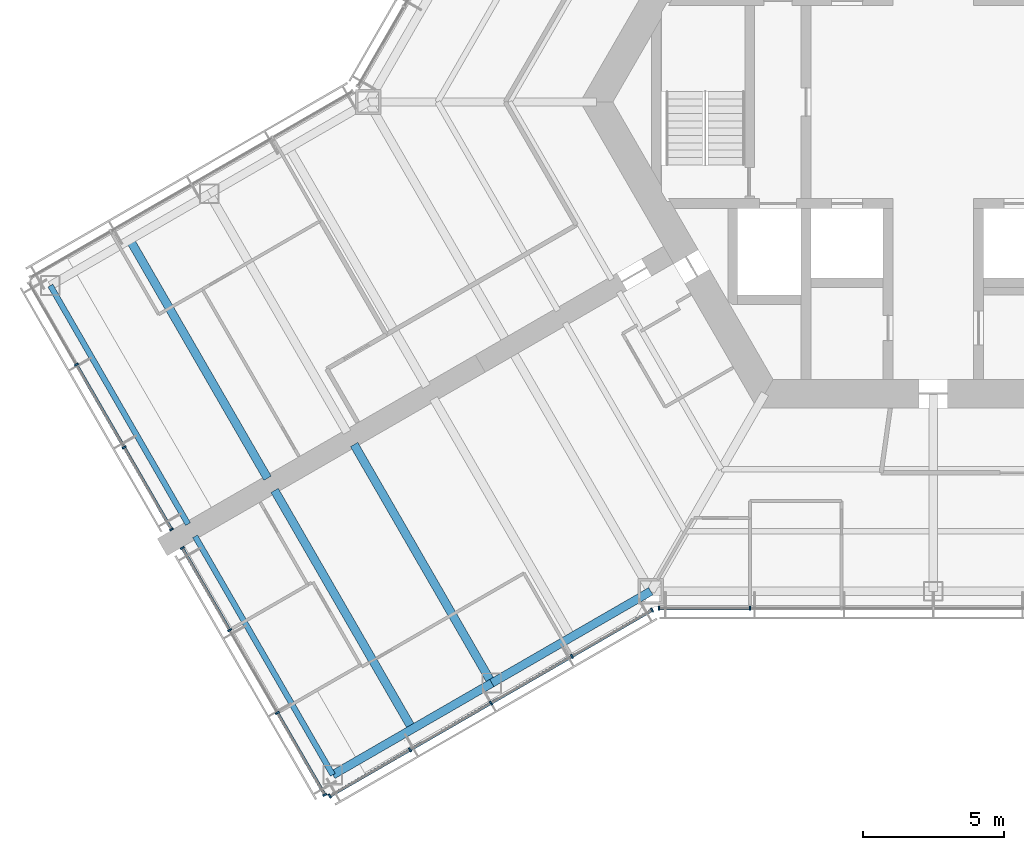
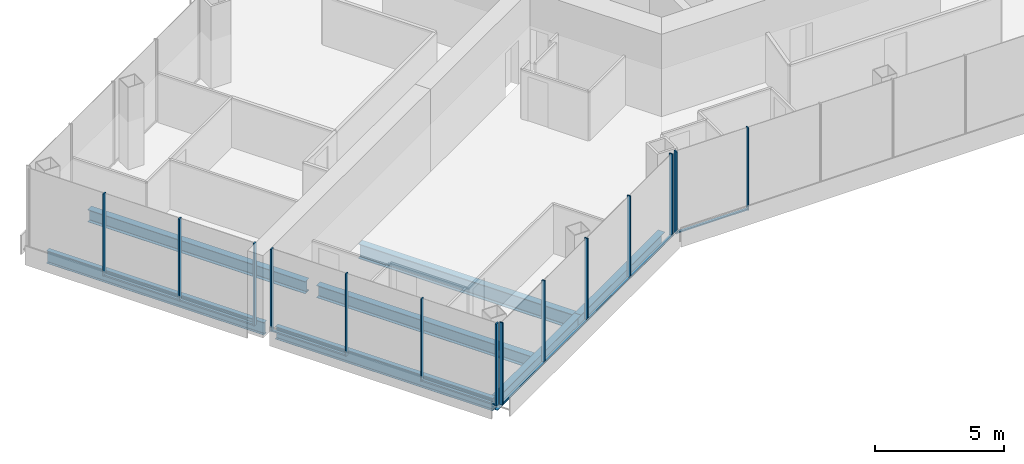
# One storey, part 2 of 18: 23 members, 7 beams, 4 elements without a shape of their own.
"""IFC4 building model written with IfcOpenShell, lengths in metres."""

from ifc_helpers import new_model, si_unit, direction, frame, origin, origin_2d, place, context, subcontext, project, spatial, rectangle, i_section, extrude, material, material_profile, profile_set, type_object, element, aggregate, save


model = new_model("IFC4")

# Units and contexts
model_context = context("Model", 3, precision=1e-05, world=origin(), true_north=direction((0.0, 1.0)))
body_context = subcontext(model_context, "Body", "Model", "MODEL_VIEW")
ifc_project = project(units=[si_unit("LENGTHUNIT", "METRE"), si_unit("AREAUNIT", "SQUARE_METRE"), si_unit("VOLUMEUNIT", "CUBIC_METRE"), si_unit("PLANEANGLEUNIT", "RADIAN"), si_unit("MASSUNIT", "GRAM", prefix="KILO")], contexts=[model_context])

# Site, building, storey
site_placement = place(None, origin())
site = spatial("IfcSite", under=ifc_project, at=site_placement, CompositionType="ELEMENT")
building_placement = place(site_placement, origin())
building = spatial("IfcBuilding", under=site, at=building_placement, Name="Kasaneha Research Tower", CompositionType="ELEMENT")
storey_placement = place(building_placement, frame((0.0, 0.0, 199.39990234375)))
storey = spatial("IfcBuildingStorey", under=building, at=storey_placement, Name="L50", CompositionType="ELEMENT", Elevation=199.39990234375)

# Beams
ifc_material_1 = material(Name="Steel SN490B", Category="steel")
ifc_material_profile_1 = material_profile(ifc_material_1, i_section(OverallWidth=0.300048828125, OverallDepth=0.58203125, WebThickness=0.011962890625, FlangeThickness=0.01708984375, FilletRadius=0.012939453125, at=origin_2d()), Name="H-582x300x12x17")
ifc_profile_set_1 = profile_set([ifc_material_profile_1], Name="Steel SN490B")
beam_type_1 = type_object("IfcBeamType", Name="B2-3 secondary beam H-582x300x12x17", PredefinedType="JOIST", material=ifc_profile_set_1)
for number, where, z_axis, x_axis, name in (
    (1, (-28.44384765625, -4.875, -0.44091796875), (0.499995560238, -0.866027967067, 0.0), (0.866027967067, 0.499995560238, 0.0), "Secondary beam WBBP2 L50"),
    (2, (-18.44384765625, -22.195556640625, -0.44091796875), (-0.499995560238, 0.866027967067, 0.0), (-0.866027967067, -0.499995560238, 0.0), "Secondary beam WBBN2 L50"),
):
    element("IfcBeam", number, at=place(storey_placement, frame(where, z_axis=z_axis, x_axis=x_axis)), inside=storey, type_object=beam_type_1, Name=name, PredefinedType="JOIST", context=body_context, shape_type="SweptSolid", body=[
        extrude(i_section(OverallWidth=0.300048828125, OverallDepth=0.58203125, WebThickness=0.011962890625, FlangeThickness=0.01708984375, FilletRadius=0.012939453125, at=origin_2d()), origin(), (0.0, 0.0, 1.0), 9.75),
    ])

# Curtain wall, members
ifc_material_2 = material(Name="Glass and aluminium", Category="aluminium")
curtain_wall_type = type_object("IfcCurtainWallType", Name="Mid-rise office curtain wall", PredefinedType="USERDEFINED", material=ifc_material_2)
curtain_wall_1_placement = place(storey_placement, origin())
curtain_wall_1 = element("IfcCurtainWall", 3, at=curtain_wall_1_placement, inside=storey, type_object=curtain_wall_type, Name="CW-O2 L50 run 01a", ObjectType="UNITISED CURTAIN WALL", PredefinedType="USERDEFINED")
ifc_material_3 = material(Name="Aluminium 6063-T6", Category="aluminium")
ifc_material_profile_2 = material_profile(ifc_material_3, rectangle(XDim=0.06005859375, YDim=0.14990234375, at=origin_2d()), Name="CW-O2 mullion 60x150")
ifc_profile_set_2 = profile_set([ifc_material_profile_2], Name="Aluminium 6063-T6")
member_type_1 = type_object("IfcMemberType", Name="CW-O2 mullion", PredefinedType="MULLION", material=ifc_profile_set_2)
member_1_placement = place(storey_placement, frame((-9.709228515625, -17.92041015625, 0.0), z_axis=(0.0, 0.0, 1.0), x_axis=(1.0, 0.0, 0.0)))
member_1 = element("IfcMember", 4, at=member_1_placement, type_object=member_type_1, Name="CW-O2 mullion 1", PredefinedType="MULLION", context=body_context, shape_type="SweptSolid", body=[
    extrude(rectangle(XDim=0.06005859375, YDim=0.14990234375, at=origin_2d()), origin(), (0.0, 0.0, 1.0), 3.900146484375),
])
member_2_placement = place(storey_placement, frame((-6.492919921875, -17.92041015625, 0.0), z_axis=(0.0, 0.0, 1.0), x_axis=(1.0, 0.0, 0.0)))
member_2 = element("IfcMember", 5, at=member_2_placement, type_object=member_type_1, Name="CW-O2 mullion 2", PredefinedType="MULLION", context=body_context, shape_type="SweptSolid", body=[
    extrude(rectangle(XDim=0.06005859375, YDim=0.14990234375, at=origin_2d()), origin(), (0.0, 0.0, 1.0), 3.900146484375),
])

curtain_wall_2_placement = place(storey_placement, origin())
curtain_wall_2 = element("IfcCurtainWall", 6, at=curtain_wall_2_placement, inside=storey, type_object=curtain_wall_type, Name="CW-O2 L50 run 10a", ObjectType="UNITISED CURTAIN WALL", PredefinedType="USERDEFINED")
member_3_placement = place(storey_placement, frame((-30.336181640625, -9.297119140625, 0.0), z_axis=(0.0, 0.0, 1.0), x_axis=(0.500000011442, -0.866025397178, 0.0)))
member_3 = element("IfcMember", 7, at=member_3_placement, type_object=member_type_1, Name="CW-O2 mullion 2", PredefinedType="MULLION", context=body_context, shape_type="SweptSolid", body=[
    extrude(rectangle(XDim=0.06005859375, YDim=0.14990234375, at=origin_2d()), origin(), (0.0, 0.0, 1.0), 3.900146484375),
])
member_4_placement = place(storey_placement, frame((-28.64453125, -12.22705078125, 0.0), z_axis=(0.0, 0.0, 1.0), x_axis=(0.500000011442, -0.866025397178, 0.0)))
member_4 = element("IfcMember", 8, at=member_4_placement, type_object=member_type_1, Name="CW-O2 mullion 3", PredefinedType="MULLION", context=body_context, shape_type="SweptSolid", body=[
    extrude(rectangle(XDim=0.06005859375, YDim=0.14990234375, at=origin_2d()), origin(), (0.0, 0.0, 1.0), 3.900146484375),
])
member_5_placement = place(storey_placement, frame((-26.968017578125, -15.131103515625, 0.0), z_axis=(0.0, 0.0, 1.0), x_axis=(0.500000011442, -0.866025397178, 0.0)))
member_5 = element("IfcMember", 9, at=member_5_placement, type_object=member_type_1, Name="CW-O2 mullion 4", PredefinedType="MULLION", context=body_context, shape_type="SweptSolid", body=[
    extrude(rectangle(XDim=0.06005859375, YDim=0.14990234375, at=origin_2d()), origin(), (0.0, 0.0, 1.0), 3.900146484375),
])

curtain_wall_3_placement = place(storey_placement, origin())
curtain_wall_3 = element("IfcCurtainWall", 10, at=curtain_wall_3_placement, inside=storey, type_object=curtain_wall_type, Name="CW-O2 L50 run 11a", ObjectType="UNITISED CURTAIN WALL", PredefinedType="USERDEFINED")
member_6_placement = place(storey_placement, frame((-26.587890625, -15.789306640625, 0.0), z_axis=(0.0, 0.0, 1.0), x_axis=(0.500000011442, -0.866025397178, 0.0)))
member_6 = element("IfcMember", 11, at=member_6_placement, type_object=member_type_1, Name="CW-O2 mullion 1", PredefinedType="MULLION", context=body_context, shape_type="SweptSolid", body=[
    extrude(rectangle(XDim=0.06005859375, YDim=0.14990234375, at=origin_2d()), origin(), (0.0, 0.0, 1.0), 3.900146484375),
])
member_7_placement = place(storey_placement, frame((-24.911376953125, -18.693359375, 0.0), z_axis=(0.0, 0.0, 1.0), x_axis=(0.500000011442, -0.866025397178, 0.0)))
member_7 = element("IfcMember", 12, at=member_7_placement, type_object=member_type_1, Name="CW-O2 mullion 2", PredefinedType="MULLION", context=body_context, shape_type="SweptSolid", body=[
    extrude(rectangle(XDim=0.06005859375, YDim=0.14990234375, at=origin_2d()), origin(), (0.0, 0.0, 1.0), 3.900146484375),
])
member_8_placement = place(storey_placement, frame((-23.2197265625, -21.62353515625, 0.0), z_axis=(0.0, 0.0, 1.0), x_axis=(0.500000011442, -0.866025397178, 0.0)))
member_8 = element("IfcMember", 13, at=member_8_placement, type_object=member_type_1, Name="CW-O2 mullion 3", PredefinedType="MULLION", context=body_context, shape_type="SweptSolid", body=[
    extrude(rectangle(XDim=0.06005859375, YDim=0.14990234375, at=origin_2d()), origin(), (0.0, 0.0, 1.0), 3.900146484375),
])
member_9_placement = place(storey_placement, frame((-21.54296875, -24.527587890625, 0.0), z_axis=(0.0, 0.0, 1.0), x_axis=(0.500000011442, -0.866025397178, 0.0)))
member_9 = element("IfcMember", 14, at=member_9_placement, type_object=member_type_1, Name="CW-O2 mullion 4", PredefinedType="MULLION", context=body_context, shape_type="SweptSolid", body=[
    extrude(rectangle(XDim=0.06005859375, YDim=0.14990234375, at=origin_2d()), origin(), (0.0, 0.0, 1.0), 3.900146484375),
])

curtain_wall_4_placement = place(storey_placement, origin())
curtain_wall_4 = element("IfcCurtainWall", 15, at=curtain_wall_4_placement, inside=storey, type_object=curtain_wall_type, Name="CW-O2 L50 run 12a", ObjectType="UNITISED CURTAIN WALL", PredefinedType="USERDEFINED")
member_10_placement = place(storey_placement, frame((-21.365478515625, -24.5751953125, 0.0), z_axis=(0.0, 0.0, 1.0), x_axis=(0.866025411464, 0.499999986699, 0.0)))
member_10 = element("IfcMember", 16, at=member_10_placement, type_object=member_type_1, Name="CW-O2 mullion 1", PredefinedType="MULLION", context=body_context, shape_type="SweptSolid", body=[
    extrude(rectangle(XDim=0.06005859375, YDim=0.14990234375, at=origin_2d()), origin(), (0.0, 0.0, 1.0), 3.900146484375),
])
member_11_placement = place(storey_placement, frame((-18.52490234375, -22.935302734375, 0.0), z_axis=(0.0, 0.0, 1.0), x_axis=(0.866025411464, 0.499999986699, 0.0)))
member_11 = element("IfcMember", 17, at=member_11_placement, type_object=member_type_1, Name="CW-O2 mullion 2", PredefinedType="MULLION", context=body_context, shape_type="SweptSolid", body=[
    extrude(rectangle(XDim=0.06005859375, YDim=0.14990234375, at=origin_2d()), origin(), (0.0, 0.0, 1.0), 3.900146484375),
])
member_12_placement = place(storey_placement, frame((-15.65869140625, -21.2802734375, 0.0), z_axis=(0.0, 0.0, 1.0), x_axis=(0.866025411464, 0.499999986699, 0.0)))
member_12 = element("IfcMember", 18, at=member_12_placement, type_object=member_type_1, Name="CW-O2 mullion 3", PredefinedType="MULLION", context=body_context, shape_type="SweptSolid", body=[
    extrude(rectangle(XDim=0.06005859375, YDim=0.14990234375, at=origin_2d()), origin(), (0.0, 0.0, 1.0), 3.900146484375),
])
member_13_placement = place(storey_placement, frame((-12.792236328125, -19.62548828125, 0.0), z_axis=(0.0, 0.0, 1.0), x_axis=(0.866025411464, 0.499999986699, 0.0)))
member_13 = element("IfcMember", 19, at=member_13_placement, type_object=member_type_1, Name="CW-O2 mullion 4", PredefinedType="MULLION", context=body_context, shape_type="SweptSolid", body=[
    extrude(rectangle(XDim=0.06005859375, YDim=0.14990234375, at=origin_2d()), origin(), (0.0, 0.0, 1.0), 3.900146484375),
])
member_14_placement = place(storey_placement, frame((-9.951904296875, -17.985595703125, 0.0), z_axis=(0.0, 0.0, 1.0), x_axis=(0.866025411464, 0.499999986699, 0.0)))
member_14 = element("IfcMember", 20, at=member_14_placement, type_object=member_type_1, Name="CW-O2 mullion 5", PredefinedType="MULLION", context=body_context, shape_type="SweptSolid", body=[
    extrude(rectangle(XDim=0.06005859375, YDim=0.14990234375, at=origin_2d()), origin(), (0.0, 0.0, 1.0), 3.900146484375),
])

# Member
ifc_material_4 = material(Name="Aluminium 6063-T6", Category="aluminium")
ifc_material_profile_3 = material_profile(ifc_material_4, rectangle(XDim=0.110107421875, YDim=0.06005859375, at=origin_2d()), Name="CW-O2 transom 110x60")
ifc_profile_set_3 = profile_set([ifc_material_profile_3], Name="Aluminium 6063-T6")
member_type_2 = type_object("IfcMemberType", Name="CW-O2 transom", PredefinedType="USERDEFINED", material=ifc_profile_set_3)
member_15_placement = place(storey_placement, frame((-9.67919921875, -17.92041015625, 0.030029296875), z_axis=(1.0, 0.0, 0.0), x_axis=(0.0, 1.0, 0.0)))
member_15 = element("IfcMember", 21, at=member_15_placement, type_object=member_type_2, Name="CW-O2 transom 1", ObjectType="TRANSOM", PredefinedType="USERDEFINED", context=body_context, shape_type="SweptSolid", body=[
    extrude(rectangle(XDim=0.110107421875, YDim=0.06005859375, at=origin_2d()), origin(), (0.0, 0.0, 1.0), 3.156494140625),
])

aggregate(curtain_wall_1, [member_1, member_2, member_15])

member_16_placement = place(storey_placement, frame((-30.3212890625, -9.322998046875, 0.030029296875), z_axis=(0.499978935311, -0.866037565146, 0.0), x_axis=(0.866037565146, 0.499978935311, 0.0)))
member_16 = element("IfcMember", 22, at=member_16_placement, type_object=member_type_2, Name="CW-O2 transom 2", ObjectType="TRANSOM", PredefinedType="USERDEFINED", context=body_context, shape_type="SweptSolid", body=[
    extrude(rectangle(XDim=0.110107421875, YDim=0.06005859375, at=origin_2d()), origin(), (0.0, 0.0, 1.0), 3.323486328125),
])

member_17_placement = place(storey_placement, frame((-28.629638671875, -12.253173828125, 0.030029296875), z_axis=(0.500021914551, -0.866012751043, 0.0), x_axis=(0.866012751043, 0.500021914551, 0.0)))
member_17 = element("IfcMember", 23, at=member_17_placement, type_object=member_type_2, Name="CW-O2 transom 3", ObjectType="TRANSOM", PredefinedType="USERDEFINED", context=body_context, shape_type="SweptSolid", body=[
    extrude(rectangle(XDim=0.110107421875, YDim=0.06005859375, at=origin_2d()), origin(), (0.0, 0.0, 1.0), 3.293212890625),
])

aggregate(curtain_wall_2, [member_3, member_4, member_5, member_16, member_17])

member_18_placement = place(storey_placement, frame((-26.572998046875, -15.8154296875, 0.030029296875), z_axis=(0.500021914551, -0.866012751043, 0.0), x_axis=(0.866012751043, 0.500021914551, 0.0)))
member_18 = element("IfcMember", 24, at=member_18_placement, type_object=member_type_2, Name="CW-O2 transom 1", ObjectType="TRANSOM", PredefinedType="USERDEFINED", context=body_context, shape_type="SweptSolid", body=[
    extrude(rectangle(XDim=0.110107421875, YDim=0.06005859375, at=origin_2d()), origin(), (0.0, 0.0, 1.0), 3.293212890625),
])

member_19_placement = place(storey_placement, frame((-23.20458984375, -21.6494140625, 0.030029296875), z_axis=(0.500021914551, -0.866012751043, 0.0), x_axis=(0.866012751043, 0.500021914551, 0.0)))
member_19 = element("IfcMember", 25, at=member_19_placement, type_object=member_type_2, Name="CW-O2 transom 3", ObjectType="TRANSOM", PredefinedType="USERDEFINED", context=body_context, shape_type="SweptSolid", body=[
    extrude(rectangle(XDim=0.110107421875, YDim=0.06005859375, at=origin_2d()), origin(), (0.0, 0.0, 1.0), 3.293212890625),
])

aggregate(curtain_wall_3, [member_6, member_7, member_8, member_9, member_18, member_19])

member_20_placement = place(storey_placement, frame((-21.33935546875, -24.56005859375, 0.030029296875), z_axis=(0.866022692473, 0.500004696101, 0.0), x_axis=(-0.500004696101, 0.866022692473, 0.0)))
member_20 = element("IfcMember", 26, at=member_20_placement, type_object=member_type_2, Name="CW-O2 transom 1", ObjectType="TRANSOM", PredefinedType="USERDEFINED", context=body_context, shape_type="SweptSolid", body=[
    extrude(rectangle(XDim=0.110107421875, YDim=0.06005859375, at=origin_2d()), origin(), (0.0, 0.0, 1.0), 3.2197265625),
])

member_21_placement = place(storey_placement, frame((-18.4990234375, -22.920166015625, 0.030029296875), z_axis=(0.86604797581, 0.499960902066, 0.0), x_axis=(-0.499960902066, 0.86604797581, 0.0)))
member_21 = element("IfcMember", 27, at=member_21_placement, type_object=member_type_2, Name="CW-O2 transom 2", ObjectType="TRANSOM", PredefinedType="USERDEFINED", context=body_context, shape_type="SweptSolid", body=[
    extrude(rectangle(XDim=0.110107421875, YDim=0.06005859375, at=origin_2d()), origin(), (0.0, 0.0, 1.0), 3.249755859375),
])

member_22_placement = place(storey_placement, frame((-15.632568359375, -21.265380859375, 0.030029296875), z_axis=(0.866015446554, 0.500017246033, 0.0), x_axis=(-0.500017246033, 0.866015446554, 0.0)))
member_22 = element("IfcMember", 28, at=member_22_placement, type_object=member_type_2, Name="CW-O2 transom 3", ObjectType="TRANSOM", PredefinedType="USERDEFINED", context=body_context, shape_type="SweptSolid", body=[
    extrude(rectangle(XDim=0.110107421875, YDim=0.06005859375, at=origin_2d()), origin(), (0.0, 0.0, 1.0), 3.25),
])

member_23_placement = place(storey_placement, frame((-12.76611328125, -19.6103515625, 0.030029296875), z_axis=(0.866022692473, 0.500004696101, 0.0), x_axis=(-0.500004696101, 0.866022692473, 0.0)))
member_23 = element("IfcMember", 29, at=member_23_placement, type_object=member_type_2, Name="CW-O2 transom 4", ObjectType="TRANSOM", PredefinedType="USERDEFINED", context=body_context, shape_type="SweptSolid", body=[
    extrude(rectangle(XDim=0.110107421875, YDim=0.06005859375, at=origin_2d()), origin(), (0.0, 0.0, 1.0), 3.2197265625),
])

aggregate(curtain_wall_4, [member_10, member_11, member_12, member_13, member_14, member_20, member_21, member_22, member_23])

# Beams
ifc_material_5 = material(Name="Steel SN490B", Category="steel")
ifc_material_profile_4 = material_profile(ifc_material_5, i_section(OverallWidth=0.300048828125, OverallDepth=0.699951171875, WebThickness=0.012939453125, FlangeThickness=0.02392578125, FilletRadius=0.01806640625, at=origin_2d()), Name="H-700x300x13x24")
ifc_profile_set_4 = profile_set([ifc_material_profile_4], Name="Steel SN490B")
beam_type_2 = type_object("IfcBeamType", Name="G4-3 wing girder H-700x300x13x24", PredefinedType="BEAM", material=ifc_profile_set_4)
beam_placement = place(storey_placement, frame((-15.629150390625, -20.570556640625, -0.5), z_axis=(-0.499995560238, 0.866027967067, 0.0), x_axis=(-0.866027967067, -0.499995560238, 0.0)))
element("IfcBeam", 30, at=beam_placement, inside=storey, type_object=beam_type_2, Name="Wing girder WGBN L50", PredefinedType="BEAM", context=body_context, shape_type="SweptSolid", body=[
    extrude(i_section(OverallWidth=0.300048828125, OverallDepth=0.699951171875, WebThickness=0.012939453125, FlangeThickness=0.02392578125, FilletRadius=0.01806640625, at=origin_2d()), origin(), (0.0, 0.0, 1.0), 9.75),
])
ifc_material_6 = material(Name="Steel SN490B", Category="steel")
ifc_material_profile_5 = material_profile(ifc_material_6, i_section(OverallWidth=0.300048828125, OverallDepth=0.58203125, WebThickness=0.011962890625, FlangeThickness=0.01708984375, FilletRadius=0.012939453125, at=origin_2d()), Name="H-582x300x12x17")
ifc_profile_set_5 = profile_set([ifc_material_profile_5], Name="Steel SN490B")
beam_type_3 = type_object("IfcBeamType", Name="SB2-3 spandrel beam H-582x300x12x17", PredefinedType="SPANDREL", material=ifc_profile_set_5)
for number, where, z_axis, x_axis, name in (
    (31, (-10.0, -17.320556640625, -0.44091796875), (-0.866024837091, -0.50000098154, 0.0), (0.50000098154, -0.866024837091, 0.0), "Spandrel beam WSBN1 L50"),
    (32, (-15.629150390625, -20.570556640625, -0.44091796875), (-0.866024837091, -0.50000098154, 0.0), (0.50000098154, -0.866024837091, 0.0), "Spandrel beam WSBN2 L50"),
):
    element("IfcBeam", number, at=place(storey_placement, frame(where, z_axis=z_axis, x_axis=x_axis)), inside=storey, type_object=beam_type_3, Name=name, PredefinedType="SPANDREL", context=body_context, shape_type="SweptSolid", body=[
        extrude(i_section(OverallWidth=0.300048828125, OverallDepth=0.58203125, WebThickness=0.011962890625, FlangeThickness=0.01708984375, FilletRadius=0.012939453125, at=origin_2d()), origin(), (0.0, 0.0, 1.0), 6.5),
    ])
ifc_material_7 = material(Name="Steel SN490B", Category="steel")
ifc_material_profile_6 = material_profile(ifc_material_7, i_section(OverallWidth=0.199951171875, OverallDepth=0.60009765625, WebThickness=0.010986328125, FlangeThickness=0.01708984375, FilletRadius=0.012939453125, at=origin_2d()), Name="H-600x200x11x17")
ifc_profile_set_6 = profile_set([ifc_material_profile_6], Name="Steel SN490B")
beam_type_4 = type_object("IfcBeamType", Name="SB3-3 spandrel beam H-600x200x11x17", PredefinedType="SPANDREL", material=ifc_profile_set_6)
for number, where, z_axis, x_axis, name in (
    (33, (-31.25830078125, -6.5, -0.449951171875), (0.499995560238, -0.866027967067, 0.0), (0.866027967067, 0.499995560238, 0.0), "Spandrel beam WTBP L50"),
    (34, (-21.25830078125, -23.820556640625, -0.449951171875), (-0.499995560238, 0.866027967067, 0.0), (-0.866027967067, -0.499995560238, 0.0), "Spandrel beam WTBN L50"),
):
    element("IfcBeam", number, at=place(storey_placement, frame(where, z_axis=z_axis, x_axis=x_axis)), inside=storey, type_object=beam_type_4, Name=name, PredefinedType="SPANDREL", context=body_context, shape_type="SweptSolid", body=[
        extrude(i_section(OverallWidth=0.199951171875, OverallDepth=0.60009765625, WebThickness=0.010986328125, FlangeThickness=0.01708984375, FilletRadius=0.012939453125, at=origin_2d()), origin(), (0.0, 0.0, 1.0), 9.75),
    ])

save(model, "model.ifc")
